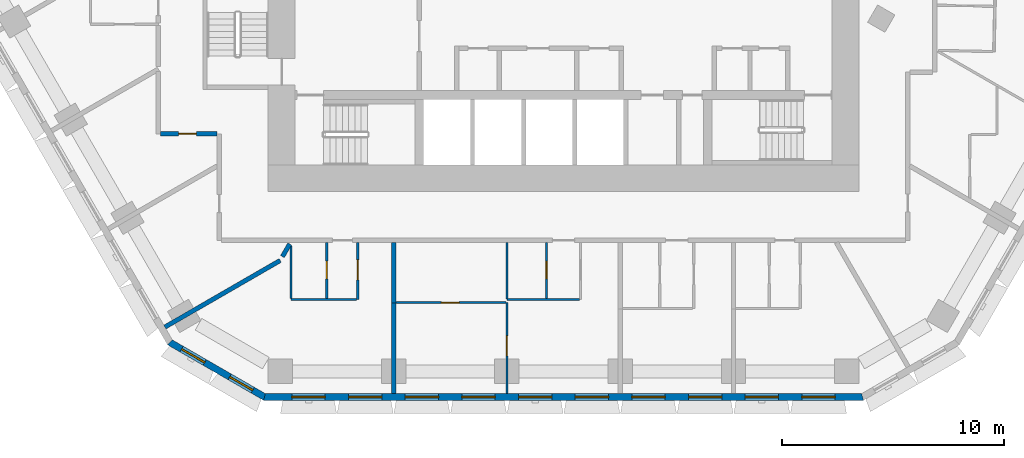
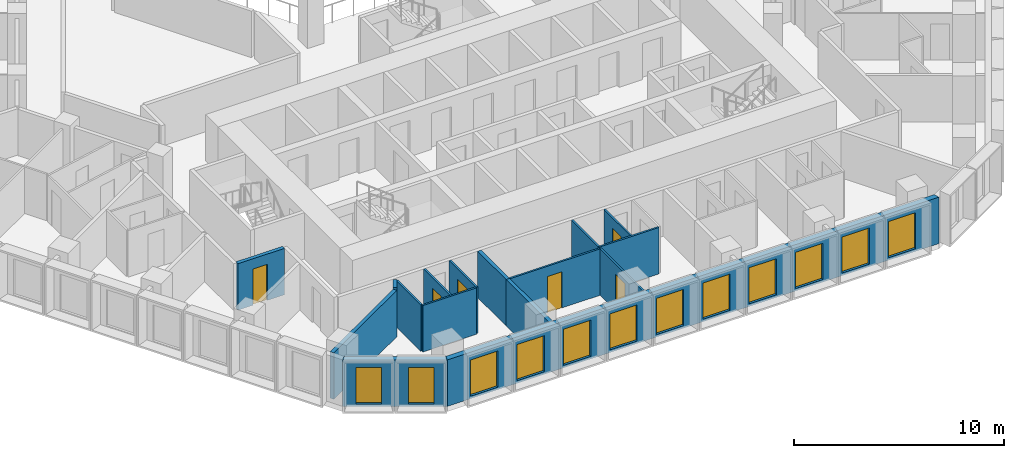
# One storey, part 3 of 21: 16 walls, 12 windows, 6 doors, 18 openings.
"""IFC4 building model written with IfcOpenShell, lengths in metres."""

from ifc_helpers import new_model, si_unit, direction, frame, frame_2d, origin, place, context, subcontext, project, spatial, polyline, rectangle, outline, extrude, material, layer, layer_set, type_object, element, fill, save


model = new_model("IFC4")

# Units and contexts
model_context = context("Model", 3, precision=1e-05, world=origin(), true_north=direction((0.0, 1.0)))
body_context = subcontext(model_context, "Body", "Model", "MODEL_VIEW")
ifc_project = project(units=[si_unit("LENGTHUNIT", "METRE"), si_unit("AREAUNIT", "SQUARE_METRE"), si_unit("VOLUMEUNIT", "CUBIC_METRE"), si_unit("PLANEANGLEUNIT", "RADIAN"), si_unit("MASSUNIT", "GRAM", prefix="KILO")], contexts=[model_context])

# Site, building, storey
site_placement = place(None, origin())
site = spatial("IfcSite", under=ifc_project, at=site_placement, CompositionType="ELEMENT")
building_placement = place(site_placement, origin())
building = spatial("IfcBuilding", under=site, at=building_placement, Name="Beryl Residences", CompositionType="ELEMENT")
storey_placement = place(building_placement, frame((0.0, 0.0, 29.39990234375)))
storey = spatial("IfcBuildingStorey", under=building, at=storey_placement, Name="L08", CompositionType="ELEMENT", Elevation=29.39990234375)

# Wall, openings, windows
ifc_material_1 = material(Name="Composite metal panel with mineral wool insulation")
ifc_layer_1 = layer(ifc_material_1, 0.300048828125)
ifc_layer_set_1 = layer_set([ifc_layer_1], Name="ES1 pale metal composite panel wall 300 mm")
wall_type_1 = type_object("IfcWallType", Name="ES1 pale metal composite panel wall 300 mm", PredefinedType="SOLIDWALL", material=ifc_layer_set_1)
wall_1_placement = place(storey_placement, frame((-17.764892578125, -25.77001953125, 0.0), z_axis=(0.0, 0.0, 1.0), x_axis=(0.866010750942, -0.50002537861, 0.0)))
wall_1 = element("IfcWall", 1, at=wall_1_placement, inside=storey, type_object=wall_type_1, Name="ES1 external wall L08 SW-S", PredefinedType="SOLIDWALL", context=body_context, shape_type="SweptSolid", body=[
    extrude(outline(polyline([(0.0, -0.14990234375), (4.999755859375, -0.14990234375), (4.91943359375, 0.14990234375), (0.080322265625, 0.14990234375), (0.0, -0.14990234375)])), origin(), (0.0, 0.0, 1.0), 2.7001953125),
])
opening_1_placement = place(wall_1_placement, frame((0.64990234375, 0.0, 0.14990234375)))
opening_1 = element("IfcOpeningElement", 2, at=opening_1_placement, cuts=wall_1, Name="Opening W2", PredefinedType="OPENING", context=body_context, shape_type="SweptSolid", body=[
    extrude(rectangle(XDim=1.199951171875, YDim=2.10009765625, at=frame_2d((0.60009765625, 1.050048828125))), frame((0.0, 0.159912109375, 0.0), z_axis=(0.0, -1.0, 0.0), x_axis=(1.0, 0.0, 0.0)), (0.0, 0.0, 1.0), 0.320068359375),
])
opening_2_placement = place(wall_1_placement, frame((3.14990234375, 0.0, 0.14990234375)))
opening_2 = element("IfcOpeningElement", 3, at=opening_2_placement, cuts=wall_1, Name="Opening W2", PredefinedType="OPENING", context=body_context, shape_type="SweptSolid", body=[
    extrude(rectangle(XDim=1.199951171875, YDim=2.10009765625, at=frame_2d((0.60009765625, 1.050048828125))), frame((0.0, 0.159912109375, 0.0), z_axis=(0.0, -1.0, 0.0), x_axis=(1.0, 0.0, 0.0)), (0.0, 0.0, 1.0), 0.320068359375),
])
ifc_material_2 = material(Name="Aluminium and clear glass", Category="aluminium")
window_type_1 = type_object("IfcWindowType", Name="W2 chamfer window 1200 x 2100 mm", PartitioningType="SINGLE_PANEL", PredefinedType="WINDOW", material=ifc_material_2)
window_1_placement = place(opening_1_placement, origin())
window_1 = element("IfcWindow", 4, at=window_1_placement, inside=storey, type_object=window_type_1, Name="W2 window L08 SW-S 1", OverallHeight=2.10009765625, OverallWidth=1.199951171875, PartitioningType="SINGLE_PANEL", PredefinedType="WINDOW", context=body_context, shape_type="SweptSolid", body=[
    extrude(rectangle(XDim=1.199951171875, YDim=2.10009765625, at=frame_2d((0.60009765625, 1.050048828125))), frame((0.0, 0.030029296875, 0.0), z_axis=(0.0, -1.0, 0.0), x_axis=(1.0, 0.0, 0.0)), (0.0, 0.0, 1.0), 0.06005859375),
])
fill(opening_1, window_1)
window_2_placement = place(opening_2_placement, origin())
window_2 = element("IfcWindow", 5, at=window_2_placement, inside=storey, type_object=window_type_1, Name="W2 window L08 SW-S 2", OverallHeight=2.10009765625, OverallWidth=1.199951171875, PartitioningType="SINGLE_PANEL", PredefinedType="WINDOW", context=body_context, shape_type="SweptSolid", body=[
    extrude(rectangle(XDim=1.199951171875, YDim=2.10009765625, at=frame_2d((0.60009765625, 1.050048828125))), frame((0.0, 0.030029296875, 0.0), z_axis=(0.0, -1.0, 0.0), x_axis=(1.0, 0.0, 0.0)), (0.0, 0.0, 1.0), 0.06005859375),
])
fill(opening_2, window_2)

wall_2_placement = place(storey_placement, frame((-13.510009765625, -28.25, 0.0), z_axis=(0.0, 0.0, 1.0), x_axis=(1.0, 0.0, 0.0)))
wall_2 = element("IfcWall", 6, at=wall_2_placement, inside=storey, type_object=wall_type_1, Name="ES1 external wall L08 S", PredefinedType="SOLIDWALL", context=body_context, shape_type="SweptSolid", body=[
    extrude(outline(polyline([(0.0, -0.14990234375), (27.02001953125, -0.14990234375), (26.939697265625, 0.14990234375), (0.080322265625, 0.14990234375), (0.0, -0.14990234375)])), origin(), (0.0, 0.0, 1.0), 2.7001953125),
])
opening_3_placement = place(wall_2_placement, frame((1.277099609375, 0.0, 0.14990234375)))
opening_3 = element("IfcOpeningElement", 7, at=opening_3_placement, cuts=wall_2, Name="Opening W1", PredefinedType="OPENING", context=body_context, shape_type="SweptSolid", body=[
    extrude(rectangle(XDim=1.5, YDim=2.10009765625, at=frame_2d((0.75, 1.050048828125))), frame((0.0, 0.159912109375, 0.0), z_axis=(0.0, -1.0, 0.0), x_axis=(1.0, 0.0, 0.0)), (0.0, 0.0, 1.0), 0.320068359375),
])
opening_4_placement = place(wall_2_placement, frame((3.8291015625, 0.0, 0.14990234375)))
opening_4 = element("IfcOpeningElement", 8, at=opening_4_placement, cuts=wall_2, Name="Opening W1", PredefinedType="OPENING", context=body_context, shape_type="SweptSolid", body=[
    extrude(rectangle(XDim=1.5, YDim=2.10009765625, at=frame_2d((0.75, 1.050048828125))), frame((0.0, 0.159912109375, 0.0), z_axis=(0.0, -1.0, 0.0), x_axis=(1.0, 0.0, 0.0)), (0.0, 0.0, 1.0), 0.320068359375),
])
opening_5_placement = place(wall_2_placement, frame((6.381103515625, 0.0, 0.14990234375)))
opening_5 = element("IfcOpeningElement", 9, at=opening_5_placement, cuts=wall_2, Name="Opening W1", PredefinedType="OPENING", context=body_context, shape_type="SweptSolid", body=[
    extrude(rectangle(XDim=1.5, YDim=2.10009765625, at=frame_2d((0.75, 1.050048828125))), frame((0.0, 0.159912109375, 0.0), z_axis=(0.0, -1.0, 0.0), x_axis=(1.0, 0.0, 0.0)), (0.0, 0.0, 1.0), 0.320068359375),
])
opening_6_placement = place(wall_2_placement, frame((8.93310546875, 0.0, 0.14990234375)))
opening_6 = element("IfcOpeningElement", 10, at=opening_6_placement, cuts=wall_2, Name="Opening W1", PredefinedType="OPENING", context=body_context, shape_type="SweptSolid", body=[
    extrude(rectangle(XDim=1.5, YDim=2.10009765625, at=frame_2d((0.75, 1.050048828125))), frame((0.0, 0.159912109375, 0.0), z_axis=(0.0, -1.0, 0.0), x_axis=(1.0, 0.0, 0.0)), (0.0, 0.0, 1.0), 0.320068359375),
])
opening_7_placement = place(wall_2_placement, frame((11.485107421875, 0.0, 0.14990234375)))
opening_7 = element("IfcOpeningElement", 11, at=opening_7_placement, cuts=wall_2, Name="Opening W1", PredefinedType="OPENING", context=body_context, shape_type="SweptSolid", body=[
    extrude(rectangle(XDim=1.5, YDim=2.10009765625, at=frame_2d((0.75, 1.050048828125))), frame((0.0, 0.159912109375, 0.0), z_axis=(0.0, -1.0, 0.0), x_axis=(1.0, 0.0, 0.0)), (0.0, 0.0, 1.0), 0.320068359375),
])
opening_8_placement = place(wall_2_placement, frame((14.037109375, 0.0, 0.14990234375)))
opening_8 = element("IfcOpeningElement", 12, at=opening_8_placement, cuts=wall_2, Name="Opening W1", PredefinedType="OPENING", context=body_context, shape_type="SweptSolid", body=[
    extrude(rectangle(XDim=1.5, YDim=2.10009765625, at=frame_2d((0.75, 1.050048828125))), frame((0.0, 0.159912109375, 0.0), z_axis=(0.0, -1.0, 0.0), x_axis=(1.0, 0.0, 0.0)), (0.0, 0.0, 1.0), 0.320068359375),
])
opening_9_placement = place(wall_2_placement, frame((16.589111328125, 0.0, 0.14990234375)))
opening_9 = element("IfcOpeningElement", 13, at=opening_9_placement, cuts=wall_2, Name="Opening W1", PredefinedType="OPENING", context=body_context, shape_type="SweptSolid", body=[
    extrude(rectangle(XDim=1.5, YDim=2.10009765625, at=frame_2d((0.75, 1.050048828125))), frame((0.0, 0.159912109375, 0.0), z_axis=(0.0, -1.0, 0.0), x_axis=(1.0, 0.0, 0.0)), (0.0, 0.0, 1.0), 0.320068359375),
])
opening_10_placement = place(wall_2_placement, frame((19.14111328125, 0.0, 0.14990234375)))
opening_10 = element("IfcOpeningElement", 14, at=opening_10_placement, cuts=wall_2, Name="Opening W1", PredefinedType="OPENING", context=body_context, shape_type="SweptSolid", body=[
    extrude(rectangle(XDim=1.5, YDim=2.10009765625, at=frame_2d((0.75, 1.050048828125))), frame((0.0, 0.159912109375, 0.0), z_axis=(0.0, -1.0, 0.0), x_axis=(1.0, 0.0, 0.0)), (0.0, 0.0, 1.0), 0.320068359375),
])
opening_11_placement = place(wall_2_placement, frame((21.693115234375, 0.0, 0.14990234375)))
opening_11 = element("IfcOpeningElement", 15, at=opening_11_placement, cuts=wall_2, Name="Opening W1", PredefinedType="OPENING", context=body_context, shape_type="SweptSolid", body=[
    extrude(rectangle(XDim=1.5, YDim=2.10009765625, at=frame_2d((0.75, 1.050048828125))), frame((0.0, 0.159912109375, 0.0), z_axis=(0.0, -1.0, 0.0), x_axis=(1.0, 0.0, 0.0)), (0.0, 0.0, 1.0), 0.320068359375),
])
opening_12_placement = place(wall_2_placement, frame((24.2451171875, 0.0, 0.14990234375)))
opening_12 = element("IfcOpeningElement", 16, at=opening_12_placement, cuts=wall_2, Name="Opening W1", PredefinedType="OPENING", context=body_context, shape_type="SweptSolid", body=[
    extrude(rectangle(XDim=1.5, YDim=2.10009765625, at=frame_2d((0.75, 1.050048828125))), frame((0.0, 0.159912109375, 0.0), z_axis=(0.0, -1.0, 0.0), x_axis=(1.0, 0.0, 0.0)), (0.0, 0.0, 1.0), 0.320068359375),
])
ifc_material_3 = material(Name="Aluminium and clear glass", Category="aluminium")
window_type_2 = type_object("IfcWindowType", Name="W1 cell window 1500 x 2100 mm", PartitioningType="SINGLE_PANEL", PredefinedType="WINDOW", material=ifc_material_3)
window_3_placement = place(opening_3_placement, origin())
window_3 = element("IfcWindow", 17, at=window_3_placement, inside=storey, type_object=window_type_2, Name="W1 window L08 S 1", OverallHeight=2.10009765625, OverallWidth=1.5, PartitioningType="SINGLE_PANEL", PredefinedType="WINDOW", context=body_context, shape_type="SweptSolid", body=[
    extrude(rectangle(XDim=1.5, YDim=2.10009765625, at=frame_2d((0.75, 1.050048828125))), frame((0.0, 0.030029296875, 0.0), z_axis=(0.0, -1.0, 0.0), x_axis=(1.0, 0.0, 0.0)), (0.0, 0.0, 1.0), 0.06005859375),
])
fill(opening_3, window_3)
window_4_placement = place(opening_4_placement, origin())
window_4 = element("IfcWindow", 18, at=window_4_placement, inside=storey, type_object=window_type_2, Name="W1 window L08 S 2", OverallHeight=2.10009765625, OverallWidth=1.5, PartitioningType="SINGLE_PANEL", PredefinedType="WINDOW", context=body_context, shape_type="SweptSolid", body=[
    extrude(rectangle(XDim=1.5, YDim=2.10009765625, at=frame_2d((0.75, 1.050048828125))), frame((0.0, 0.030029296875, 0.0), z_axis=(0.0, -1.0, 0.0), x_axis=(1.0, 0.0, 0.0)), (0.0, 0.0, 1.0), 0.06005859375),
])
fill(opening_4, window_4)
window_5_placement = place(opening_5_placement, origin())
window_5 = element("IfcWindow", 19, at=window_5_placement, inside=storey, type_object=window_type_2, Name="W1 window L08 S 3", OverallHeight=2.10009765625, OverallWidth=1.5, PartitioningType="SINGLE_PANEL", PredefinedType="WINDOW", context=body_context, shape_type="SweptSolid", body=[
    extrude(rectangle(XDim=1.5, YDim=2.10009765625, at=frame_2d((0.75, 1.050048828125))), frame((0.0, 0.030029296875, 0.0), z_axis=(0.0, -1.0, 0.0), x_axis=(1.0, 0.0, 0.0)), (0.0, 0.0, 1.0), 0.06005859375),
])
fill(opening_5, window_5)
window_6_placement = place(opening_6_placement, origin())
window_6 = element("IfcWindow", 20, at=window_6_placement, inside=storey, type_object=window_type_2, Name="W1 window L08 S 4", OverallHeight=2.10009765625, OverallWidth=1.5, PartitioningType="SINGLE_PANEL", PredefinedType="WINDOW", context=body_context, shape_type="SweptSolid", body=[
    extrude(rectangle(XDim=1.5, YDim=2.10009765625, at=frame_2d((0.75, 1.050048828125))), frame((0.0, 0.030029296875, 0.0), z_axis=(0.0, -1.0, 0.0), x_axis=(1.0, 0.0, 0.0)), (0.0, 0.0, 1.0), 0.06005859375),
])
fill(opening_6, window_6)
window_7_placement = place(opening_7_placement, origin())
window_7 = element("IfcWindow", 21, at=window_7_placement, inside=storey, type_object=window_type_2, Name="W1 window L08 S 5", OverallHeight=2.10009765625, OverallWidth=1.5, PartitioningType="SINGLE_PANEL", PredefinedType="WINDOW", context=body_context, shape_type="SweptSolid", body=[
    extrude(rectangle(XDim=1.5, YDim=2.10009765625, at=frame_2d((0.75, 1.050048828125))), frame((0.0, 0.030029296875, 0.0), z_axis=(0.0, -1.0, 0.0), x_axis=(1.0, 0.0, 0.0)), (0.0, 0.0, 1.0), 0.06005859375),
])
fill(opening_7, window_7)
window_8_placement = place(opening_8_placement, origin())
window_8 = element("IfcWindow", 22, at=window_8_placement, inside=storey, type_object=window_type_2, Name="W1 window L08 S 6", OverallHeight=2.10009765625, OverallWidth=1.5, PartitioningType="SINGLE_PANEL", PredefinedType="WINDOW", context=body_context, shape_type="SweptSolid", body=[
    extrude(rectangle(XDim=1.5, YDim=2.10009765625, at=frame_2d((0.75, 1.050048828125))), frame((0.0, 0.030029296875, 0.0), z_axis=(0.0, -1.0, 0.0), x_axis=(1.0, 0.0, 0.0)), (0.0, 0.0, 1.0), 0.06005859375),
])
fill(opening_8, window_8)
window_9_placement = place(opening_9_placement, origin())
window_9 = element("IfcWindow", 23, at=window_9_placement, inside=storey, type_object=window_type_2, Name="W1 window L08 S 7", OverallHeight=2.10009765625, OverallWidth=1.5, PartitioningType="SINGLE_PANEL", PredefinedType="WINDOW", context=body_context, shape_type="SweptSolid", body=[
    extrude(rectangle(XDim=1.5, YDim=2.10009765625, at=frame_2d((0.75, 1.050048828125))), frame((0.0, 0.030029296875, 0.0), z_axis=(0.0, -1.0, 0.0), x_axis=(1.0, 0.0, 0.0)), (0.0, 0.0, 1.0), 0.06005859375),
])
fill(opening_9, window_9)
window_10_placement = place(opening_10_placement, origin())
window_10 = element("IfcWindow", 24, at=window_10_placement, inside=storey, type_object=window_type_2, Name="W1 window L08 S 8", OverallHeight=2.10009765625, OverallWidth=1.5, PartitioningType="SINGLE_PANEL", PredefinedType="WINDOW", context=body_context, shape_type="SweptSolid", body=[
    extrude(rectangle(XDim=1.5, YDim=2.10009765625, at=frame_2d((0.75, 1.050048828125))), frame((0.0, 0.030029296875, 0.0), z_axis=(0.0, -1.0, 0.0), x_axis=(1.0, 0.0, 0.0)), (0.0, 0.0, 1.0), 0.06005859375),
])
fill(opening_10, window_10)
window_11_placement = place(opening_11_placement, origin())
window_11 = element("IfcWindow", 25, at=window_11_placement, inside=storey, type_object=window_type_2, Name="W1 window L08 S 9", OverallHeight=2.10009765625, OverallWidth=1.5, PartitioningType="SINGLE_PANEL", PredefinedType="WINDOW", context=body_context, shape_type="SweptSolid", body=[
    extrude(rectangle(XDim=1.5, YDim=2.10009765625, at=frame_2d((0.75, 1.050048828125))), frame((0.0, 0.030029296875, 0.0), z_axis=(0.0, -1.0, 0.0), x_axis=(1.0, 0.0, 0.0)), (0.0, 0.0, 1.0), 0.06005859375),
])
fill(opening_11, window_11)
window_12_placement = place(opening_12_placement, origin())
window_12 = element("IfcWindow", 26, at=window_12_placement, inside=storey, type_object=window_type_2, Name="W1 window L08 S 10", OverallHeight=2.10009765625, OverallWidth=1.5, PartitioningType="SINGLE_PANEL", PredefinedType="WINDOW", context=body_context, shape_type="SweptSolid", body=[
    extrude(rectangle(XDim=1.5, YDim=2.10009765625, at=frame_2d((0.75, 1.050048828125))), frame((0.0, 0.030029296875, 0.0), z_axis=(0.0, -1.0, 0.0), x_axis=(1.0, 0.0, 0.0)), (0.0, 0.0, 1.0), 0.06005859375),
])
fill(opening_12, window_12)

# Walls
ifc_material_4 = material(Name="Gypsum board partition on steel studs", Category="steel")
ifc_layer_2 = layer(ifc_material_4, 0.10009765625)
ifc_layer_set_2 = layer_set([ifc_layer_2], Name="PT1 partition 100 mm gypsum board on steel studs")
wall_type_2 = type_object("IfcWallType", Name="PT1 partition 100 mm gypsum board on steel studs", PredefinedType="PARTITIONING", material=ifc_layer_set_2)
wall_3_placement = place(storey_placement, frame((-12.27490234375, -21.4599609375, 0.0), z_axis=(0.0, 0.0, 1.0), x_axis=(0.0, -1.0, 0.0)))
element("IfcWall", 27, at=wall_3_placement, inside=storey, type_object=wall_type_2, Name="Wall PT1 L08 008", PredefinedType="PARTITIONING", context=body_context, shape_type="SweptSolid", body=[
    extrude(rectangle(XDim=2.34912109375, YDim=0.10009765625, at=frame_2d((1.174560546875, 0.0))), origin(), (0.0, 0.0, 1.0), 2.7001953125),
])
wall_4_placement = place(storey_placement, frame((-2.551025390625, -21.300048828125, 0.0), z_axis=(0.0, 0.0, 1.0), x_axis=(0.0, -1.0, 0.0)))
element("IfcWall", 28, at=wall_4_placement, inside=storey, type_object=wall_type_2, Name="Wall PT1 L08 010", PredefinedType="PARTITIONING", context=body_context, shape_type="SweptSolid", body=[
    extrude(rectangle(XDim=2.530029296875, YDim=0.10009765625, at=frame_2d((1.26513671875, 0.0))), origin(), (0.0, 0.0, 1.0), 2.7001953125),
])
wall_5_placement = place(storey_placement, frame((-12.27392578125, -23.860107421875, 0.0), z_axis=(0.0, 0.0, 1.0), x_axis=(1.0, 0.0, 0.0)))
element("IfcWall", 29, at=wall_5_placement, inside=storey, type_object=wall_type_2, Name="Wall PT1 L08 027", PredefinedType="PARTITIONING", context=body_context, shape_type="SweptSolid", body=[
    extrude(rectangle(XDim=2.9580078125, YDim=0.10009765625, at=frame_2d((1.47900390625, 0.0))), origin(), (0.0, 0.0, 1.0), 2.7001953125),
])
wall_6_placement = place(storey_placement, frame((-2.551025390625, -23.860107421875, 0.0), z_axis=(0.0, 0.0, 1.0), x_axis=(1.0, 0.0, 0.0)))
element("IfcWall", 30, at=wall_6_placement, inside=storey, type_object=wall_type_2, Name="Wall PT1 L08 028", PredefinedType="PARTITIONING", context=body_context, shape_type="SweptSolid", body=[
    extrude(rectangle(XDim=3.26708984375, YDim=0.10009765625, at=frame_2d((1.633544921875, 0.0))), origin(), (0.0, 0.0, 1.0), 2.7001953125),
])

# Wall, opening, door
wall_7_placement = place(storey_placement, frame((-7.554931640625, -24.0, 0.0), z_axis=(0.0, 0.0, 1.0), x_axis=(1.0, 0.0, 0.0)))
wall_7 = element("IfcWall", 31, at=wall_7_placement, inside=storey, type_object=wall_type_2, Name="Wall PT1 L08 029", PredefinedType="PARTITIONING", context=body_context, shape_type="SweptSolid", body=[
    extrude(rectangle(XDim=4.953857421875, YDim=0.10009765625, at=frame_2d((2.47705078125, 0.0))), origin(), (0.0, 0.0, 1.0), 2.7001953125),
])
opening_13_placement = place(wall_7_placement, frame((2.052001953125, 0.0, 0.0)))
opening_13 = element("IfcOpeningElement", 32, at=opening_13_placement, cuts=wall_7, Name="Opening D0108", PredefinedType="OPENING", context=body_context, shape_type="SweptSolid", body=[
    extrude(rectangle(XDim=0.800048828125, YDim=2.10009765625, at=frame_2d((0.39990234375, 1.050048828125))), frame((0.0, 0.06005859375, 0.0), z_axis=(0.0, -1.0, 0.0), x_axis=(1.0, 0.0, 0.0)), (0.0, 0.0, 1.0), 0.1201171875),
])
ifc_material_5 = material(Name="Timber door leaf", Category="wood")
door_type_1 = type_object("IfcDoorType", Name="D3 bathroom door 800 x 2100 mm", OperationType="SINGLE_SWING_LEFT", PredefinedType="DOOR", material=ifc_material_5)
door_1_placement = place(opening_13_placement, origin())
door_1 = element("IfcDoor", 33, at=door_1_placement, inside=storey, type_object=door_type_1, Name="Door D0108 L08 001", OperationType="SINGLE_SWING_RIGHT", OverallHeight=2.10009765625, OverallWidth=0.800048828125, PredefinedType="DOOR", context=body_context, shape_type="SweptSolid", body=[
    extrude(rectangle(XDim=0.800048828125, YDim=2.10009765625, at=frame_2d((0.39990234375, 1.050048828125))), frame((0.0, 0.02490234375, 0.0), z_axis=(0.0, -1.0, 0.0), x_axis=(1.0, 0.0, 0.0)), (0.0, 0.0, 1.0), 0.050048828125),
])
fill(opening_13, door_1)

wall_8_placement = place(storey_placement, frame((-0.764892578125, -23.81005859375, 0.0), z_axis=(0.0, 0.0, 1.0), x_axis=(0.0, 1.0, 0.0)))
wall_8 = element("IfcWall", 34, at=wall_8_placement, inside=storey, type_object=wall_type_2, Name="Wall PT1 L08 054", PredefinedType="PARTITIONING", context=body_context, shape_type="SweptSolid", body=[
    extrude(rectangle(XDim=2.510009765625, YDim=0.10009765625, at=frame_2d((1.2548828125, 0.0))), origin(), (0.0, 0.0, 1.0), 2.7001953125),
])
opening_14_placement = place(wall_8_placement, frame((0.8798828125, 0.0, 0.0)))
opening_14 = element("IfcOpeningElement", 35, at=opening_14_placement, cuts=wall_8, Name="Opening D0106", PredefinedType="OPENING", context=body_context, shape_type="SweptSolid", body=[
    extrude(rectangle(XDim=0.800048828125, YDim=2.10009765625, at=frame_2d((0.39990234375, 1.050048828125))), frame((0.0, 0.06005859375, 0.0), z_axis=(0.0, -1.0, 0.0), x_axis=(1.0, 0.0, 0.0)), (0.0, 0.0, 1.0), 0.1201171875),
])
door_2_placement = place(opening_14_placement, origin())
door_2 = element("IfcDoor", 36, at=door_2_placement, inside=storey, type_object=door_type_1, Name="Door D0106 L08 001", OperationType="SINGLE_SWING_RIGHT", OverallHeight=2.10009765625, OverallWidth=0.800048828125, PredefinedType="DOOR", context=body_context, shape_type="SweptSolid", body=[
    extrude(rectangle(XDim=0.800048828125, YDim=2.10009765625, at=frame_2d((0.39990234375, 1.050048828125))), frame((0.0, 0.02490234375, 0.0), z_axis=(0.0, -1.0, 0.0), x_axis=(1.0, 0.0, 0.0)), (0.0, 0.0, 1.0), 0.050048828125),
])
fill(opening_14, door_2)

wall_9_placement = place(storey_placement, frame((-9.264892578125, -23.85888671875, 0.0), z_axis=(0.0, 0.0, 1.0), x_axis=(0.0, 1.0, 0.0)))
wall_9 = element("IfcWall", 37, at=wall_9_placement, inside=storey, type_object=wall_type_2, Name="Wall PT1 L08 056", PredefinedType="PARTITIONING", context=body_context, shape_type="SweptSolid", body=[
    extrude(rectangle(XDim=2.558837890625, YDim=0.10009765625, at=frame_2d((1.279296875, 0.0))), origin(), (0.0, 0.0, 1.0), 2.7001953125),
])
opening_15_placement = place(wall_9_placement, frame((0.87890625, 0.0, 0.0)))
opening_15 = element("IfcOpeningElement", 38, at=opening_15_placement, cuts=wall_9, Name="Opening D0102", PredefinedType="OPENING", context=body_context, shape_type="SweptSolid", body=[
    extrude(rectangle(XDim=0.89990234375, YDim=2.10009765625, at=frame_2d((0.449951171875, 1.050048828125))), frame((0.0, 0.06005859375, 0.0), z_axis=(0.0, -1.0, 0.0), x_axis=(1.0, 0.0, 0.0)), (0.0, 0.0, 1.0), 0.1201171875),
])
ifc_material_6 = material(Name="Timber door leaf", Category="wood")
door_type_2 = type_object("IfcDoorType", Name="D2 room door 900 x 2100 mm", OperationType="SINGLE_SWING_LEFT", PredefinedType="DOOR", material=ifc_material_6)
door_3_placement = place(opening_15_placement, origin())
door_3 = element("IfcDoor", 39, at=door_3_placement, inside=storey, type_object=door_type_2, Name="Door D0102 L08 001", OperationType="SINGLE_SWING_RIGHT", OverallHeight=2.10009765625, OverallWidth=0.89990234375, PredefinedType="DOOR", context=body_context, shape_type="SweptSolid", body=[
    extrude(rectangle(XDim=0.89990234375, YDim=2.10009765625, at=frame_2d((0.449951171875, 1.050048828125))), frame((0.0, 0.02490234375, 0.0), z_axis=(0.0, -1.0, 0.0), x_axis=(1.0, 0.0, 0.0)), (0.0, 0.0, 1.0), 0.050048828125),
])
fill(opening_15, door_3)

wall_10_placement = place(storey_placement, frame((-10.6650390625, -23.81005859375, 0.0), z_axis=(0.0, 0.0, 1.0), x_axis=(0.0, 1.0, 0.0)))
wall_10 = element("IfcWall", 40, at=wall_10_placement, inside=storey, type_object=wall_type_2, Name="Wall PT1 L08 057", PredefinedType="PARTITIONING", context=body_context, shape_type="SweptSolid", body=[
    extrude(rectangle(XDim=2.510009765625, YDim=0.10009765625, at=frame_2d((1.2548828125, 0.0))), origin(), (0.0, 0.0, 1.0), 2.7001953125),
])
opening_16_placement = place(wall_10_placement, frame((0.8798828125, 0.0, 0.0)))
opening_16 = element("IfcOpeningElement", 41, at=opening_16_placement, cuts=wall_10, Name="Opening D0103", PredefinedType="OPENING", context=body_context, shape_type="SweptSolid", body=[
    extrude(rectangle(XDim=0.800048828125, YDim=2.10009765625, at=frame_2d((0.39990234375, 1.050048828125))), frame((0.0, 0.06005859375, 0.0), z_axis=(0.0, -1.0, 0.0), x_axis=(1.0, 0.0, 0.0)), (0.0, 0.0, 1.0), 0.1201171875),
])
door_4_placement = place(opening_16_placement, origin())
door_4 = element("IfcDoor", 42, at=door_4_placement, inside=storey, type_object=door_type_1, Name="Door D0103 L08 001", OperationType="SINGLE_SWING_LEFT", OverallHeight=2.10009765625, OverallWidth=0.800048828125, PredefinedType="DOOR", context=body_context, shape_type="SweptSolid", body=[
    extrude(rectangle(XDim=0.800048828125, YDim=2.10009765625, at=frame_2d((0.39990234375, 1.050048828125))), frame((0.0, 0.02490234375, 0.0), z_axis=(0.0, -1.0, 0.0), x_axis=(1.0, 0.0, 0.0)), (0.0, 0.0, 1.0), 0.050048828125),
])
fill(opening_16, door_4)

wall_11_placement = place(storey_placement, frame((-2.551025390625, -28.10009765625, 0.0), z_axis=(0.0, 0.0, 1.0), x_axis=(0.0, 1.0, 0.0)))
wall_11 = element("IfcWall", 43, at=wall_11_placement, inside=storey, type_object=wall_type_2, Name="Wall PT1 L08 059", PredefinedType="PARTITIONING", context=body_context, shape_type="SweptSolid", body=[
    extrude(rectangle(XDim=4.10009765625, YDim=0.10009765625, at=frame_2d((2.050048828125, 0.0))), origin(), (0.0, 0.0, 1.0), 2.7001953125),
])
opening_17_placement = place(wall_11_placement, frame((1.699951171875, 0.0, 0.0)))
opening_17 = element("IfcOpeningElement", 44, at=opening_17_placement, cuts=wall_11, Name="Opening D0107", PredefinedType="OPENING", context=body_context, shape_type="SweptSolid", body=[
    extrude(rectangle(XDim=0.89990234375, YDim=2.10009765625, at=frame_2d((0.449951171875, 1.050048828125))), frame((0.0, 0.06005859375, 0.0), z_axis=(0.0, -1.0, 0.0), x_axis=(1.0, 0.0, 0.0)), (0.0, 0.0, 1.0), 0.1201171875),
])
door_5_placement = place(opening_17_placement, origin())
door_5 = element("IfcDoor", 45, at=door_5_placement, inside=storey, type_object=door_type_2, Name="Door D0107 L08 001", OperationType="SINGLE_SWING_LEFT", OverallHeight=2.10009765625, OverallWidth=0.89990234375, PredefinedType="DOOR", context=body_context, shape_type="SweptSolid", body=[
    extrude(rectangle(XDim=0.89990234375, YDim=2.10009765625, at=frame_2d((0.449951171875, 1.050048828125))), frame((0.0, 0.02490234375, 0.0), z_axis=(0.0, -1.0, 0.0), x_axis=(1.0, 0.0, 0.0)), (0.0, 0.0, 1.0), 0.050048828125),
])
fill(opening_17, door_5)

# Walls
ifc_material_7 = material(Name="Acoustic double stud gypsum board wall")
ifc_layer_3 = layer(ifc_material_7, 0.199951171875)
ifc_layer_set_3 = layer_set([ifc_layer_3], Name="PT3 party wall 200 mm acoustic double stud")
wall_type_3 = type_object("IfcWallType", Name="PT3 party wall 200 mm acoustic double stud", PredefinedType="PARTITIONING", material=ifc_layer_set_3)
wall_12_placement = place(storey_placement, frame((-7.655029296875, -21.300048828125, 0.0), z_axis=(0.0, 0.0, 1.0), x_axis=(0.0, -1.0, 0.0)))
element("IfcWall", 46, at=wall_12_placement, inside=storey, type_object=wall_type_3, Name="Wall PT3 L08 004", PredefinedType="PARTITIONING", context=body_context, shape_type="SweptSolid", body=[
    extrude(rectangle(XDim=2.719970703125, YDim=0.199951171875, at=frame_2d((1.35986328125, 0.0))), origin(), (0.0, 0.0, 1.0), 2.7001953125),
])
wall_13_placement = place(storey_placement, frame((-12.660888671875, -21.928955078125, 0.0), z_axis=(0.0, 0.0, 1.0), x_axis=(0.499379051742, 0.866383611734, 0.0)))
element("IfcWall", 47, at=wall_13_placement, inside=storey, type_object=wall_type_3, Name="Wall PT3 L08 015", PredefinedType="PARTITIONING", context=body_context, shape_type="SweptSolid", body=[
    extrude(rectangle(XDim=0.656494140625, YDim=0.199951171875, at=frame_2d((0.328125, 0.0))), origin(), (0.0, 0.0, 1.0), 2.7001953125),
])
wall_14_placement = place(storey_placement, frame((-7.655029296875, -28.10009765625, 0.0), z_axis=(0.0, 0.0, 1.0), x_axis=(0.0, 1.0, 0.0)))
element("IfcWall", 48, at=wall_14_placement, inside=storey, type_object=wall_type_3, Name="Wall PT3 L08 019", PredefinedType="PARTITIONING", context=body_context, shape_type="SweptSolid", body=[
    extrude(rectangle(XDim=4.1201171875, YDim=0.199951171875, at=frame_2d((2.06005859375, 0.0))), origin(), (0.0, 0.0, 1.0), 2.7001953125),
])
wall_15_placement = place(storey_placement, frame((-17.9541015625, -25.10107421875, 0.0), z_axis=(0.0, 0.0, 1.0), x_axis=(0.865999098103, 0.500045560009, 0.0)))
element("IfcWall", 49, at=wall_15_placement, inside=storey, type_object=wall_type_3, Name="Wall PT3 L08 023", PredefinedType="PARTITIONING", context=body_context, shape_type="SweptSolid", body=[
    extrude(rectangle(XDim=5.99560546875, YDim=0.199951171875, at=frame_2d((2.997802734375, 0.0))), origin(), (0.0, 0.0, 1.0), 2.7001953125),
])

# Wall, opening, door
ifc_material_8 = material(Name="Double stud gypsum board wall")
ifc_layer_4 = layer(ifc_material_8, 0.199951171875)
ifc_layer_set_4 = layer_set([ifc_layer_4], Name="PT4 corridor wall 200 mm double stud")
wall_type_4 = type_object("IfcWallType", Name="PT4 corridor wall 200 mm double stud", PredefinedType="PARTITIONING", material=ifc_layer_set_4)
wall_16_placement = place(storey_placement, frame((-18.14990234375, -16.39990234375, 0.0), z_axis=(0.0, 0.0, 1.0), x_axis=(1.0, 0.0, 0.0)))
wall_16 = element("IfcWall", 50, at=wall_16_placement, inside=storey, type_object=wall_type_4, Name="Wall PT4 L08 011", PredefinedType="PARTITIONING", context=body_context, shape_type="SweptSolid", body=[
    extrude(rectangle(XDim=2.5498046875, YDim=0.199951171875, at=frame_2d((1.27490234375, 0.0))), origin(), (0.0, 0.0, 1.0), 2.7001953125),
])
opening_18_placement = place(wall_16_placement, frame((0.81494140625, 0.0, 0.0)))
opening_18 = element("IfcOpeningElement", 51, at=opening_18_placement, cuts=wall_16, Name="Opening D0179", PredefinedType="OPENING", context=body_context, shape_type="SweptSolid", body=[
    extrude(rectangle(XDim=0.800048828125, YDim=2.10009765625, at=frame_2d((0.39990234375, 1.050048828125))), frame((0.0, 0.10986328125, 0.0), z_axis=(0.0, -1.0, 0.0), x_axis=(1.0, 0.0, 0.0)), (0.0, 0.0, 1.0), 0.219970703125),
])
door_6_placement = place(opening_18_placement, origin())
door_6 = element("IfcDoor", 52, at=door_6_placement, inside=storey, type_object=door_type_1, Name="Door D0179 L08 001", OperationType="SINGLE_SWING_LEFT", OverallHeight=2.10009765625, OverallWidth=0.800048828125, PredefinedType="DOOR", context=body_context, shape_type="SweptSolid", body=[
    extrude(rectangle(XDim=0.800048828125, YDim=2.10009765625, at=frame_2d((0.39990234375, 1.050048828125))), frame((0.0, 0.02490234375, 0.0), z_axis=(0.0, -1.0, 0.0), x_axis=(1.0, 0.0, 0.0)), (0.0, 0.0, 1.0), 0.050048828125),
])
fill(opening_18, door_6)

save(model, "model.ifc")
